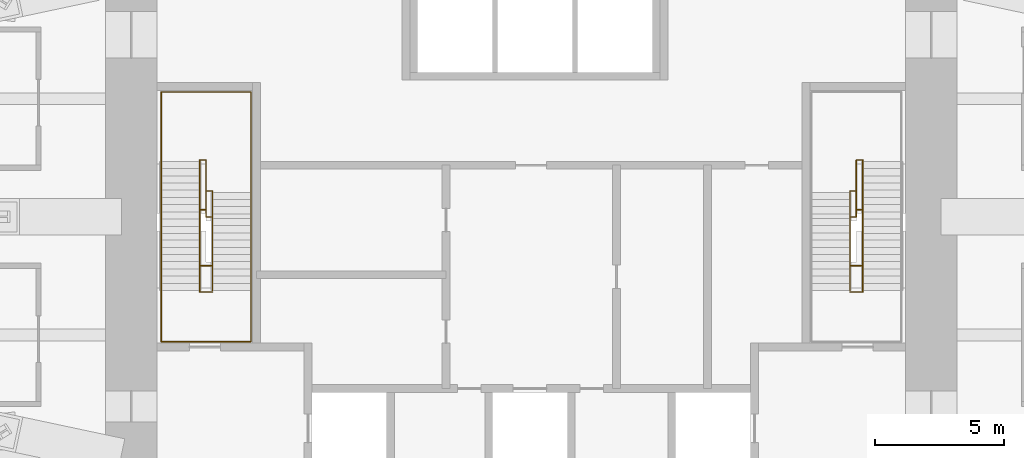
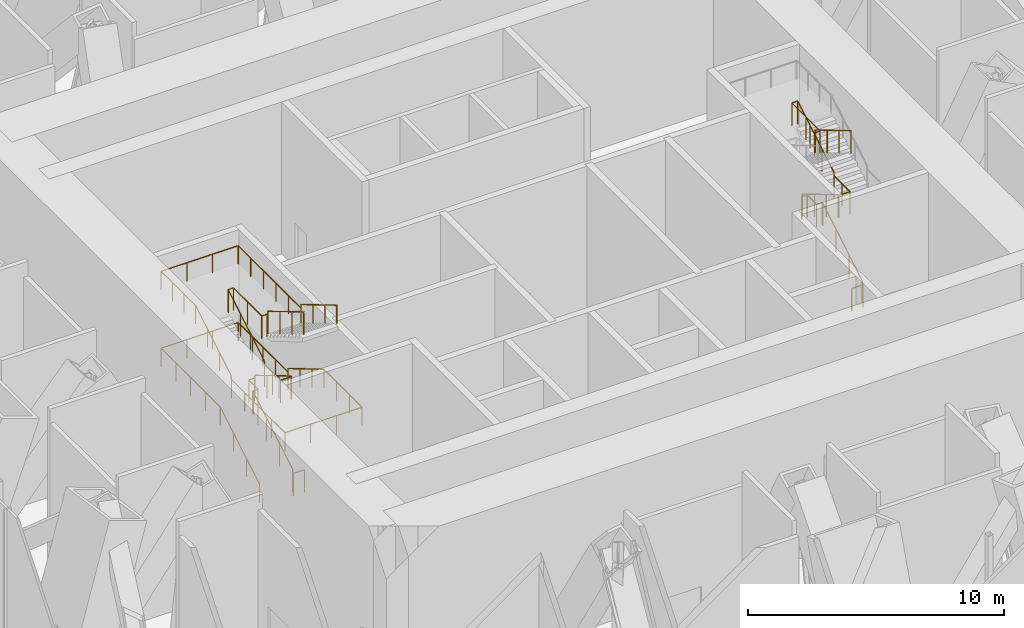
# One storey, part 15 of 16: 3 railings.
"""IFC4 building model written with IfcOpenShell, lengths in metres."""

from ifc_helpers import new_model, si_unit, direction, frame, origin, origin_2d, place, context, subcontext, project, spatial, circle, extrude, material, type_object, element, save


model = new_model("IFC4")

# Units and contexts
model_context = context("Model", 3, precision=1e-05, world=origin(), true_north=direction((0.0, 1.0)))
body_context = subcontext(model_context, "Body", "Model", "MODEL_VIEW")
ifc_project = project(units=[si_unit("LENGTHUNIT", "METRE"), si_unit("AREAUNIT", "SQUARE_METRE"), si_unit("VOLUMEUNIT", "CUBIC_METRE"), si_unit("PLANEANGLEUNIT", "RADIAN"), si_unit("MASSUNIT", "GRAM", prefix="KILO")], contexts=[model_context])

# Site, building, storey
site_placement = place(None, origin())
site = spatial("IfcSite", under=ifc_project, at=site_placement, CompositionType="ELEMENT")
building_placement = place(site_placement, origin())
building = spatial("IfcBuilding", under=site, at=building_placement, Name="Khuree Lantern Residences", CompositionType="ELEMENT")
storey_placement = place(building_placement, frame((0.0, 0.0, 192.0)))
storey = spatial("IfcBuildingStorey", under=building, at=storey_placement, Name="L48", CompositionType="ELEMENT", Elevation=192.0)

# Railings
ifc_material = material(Name="Steel S355", Category="steel")
railing_type_1 = type_object("IfcRailingType", Name="STAIR GUARD G1 1100", PredefinedType="GUARDRAIL", material=ifc_material)
railing_1_placement = place(storey_placement, frame((-12.35009765625, -2.909912109375, 0.0)))
element("IfcRailing", 1, at=railing_1_placement, inside=storey, type_object=railing_type_1, Name="Stair ST1 guard", PredefinedType="GUARDRAIL", context=body_context, shape_type="SweptSolid", body=[
    extrude(circle(Radius=0.02392578125, at=origin_2d()), frame((0.0, 0.0, 1.076171875), z_axis=(-1.0, 0.0, 0.0), x_axis=(0.0, -1.0, 0.0)), (0.0, 0.0, 1.0), 0.5),
    extrude(circle(Radius=0.02392578125, at=origin_2d()), frame((-0.5, 0.0, 1.076171875), z_axis=(0.0, 0.286189326841, 0.958173089375), x_axis=(-1.0, 0.0, 0.0)), (0.0, 0.0, 1.0), 0.174072265625),
    extrude(circle(Radius=0.02392578125, at=origin_2d()), frame((-0.5, 0.0498046875, 1.24267578125), z_axis=(0.0, 0.859308565015, 0.511457515432), x_axis=(-1.0, 0.0, 0.0)), (0.0, 0.0, 1.0), 3.58447265625),
    extrude(circle(Radius=0.02392578125, at=origin_2d()), frame((-0.5, 3.1298828125, 3.076171875), z_axis=(0.0, 1.0, 0.0), x_axis=(-1.0, 0.0, 0.0)), (0.0, 0.0, 1.0), 0.050048828125),
    extrude(circle(Radius=0.02392578125, at=origin_2d()), frame((-0.5, 3.179931640625, 3.076171875), z_axis=(1.0, 0.0, 0.0), x_axis=(0.0, 1.0, 0.0)), (0.0, 0.0, 1.0), 0.25),
    extrude(circle(Radius=0.02392578125, at=origin_2d()), frame((-0.25, 3.179931640625, 3.076171875), z_axis=(0.0, 1.0, 0.0), x_axis=(-1.0, 0.0, 0.0)), (0.0, 0.0, 1.0), 0.72998046875),
    extrude(circle(Radius=0.02392578125, at=origin_2d()), frame((-0.25, 3.909912109375, 3.076171875), z_axis=(1.0, 0.0, 0.0), x_axis=(0.0, 1.0, 0.0)), (0.0, 0.0, 1.0), 0.25),
    extrude(circle(Radius=0.02392578125, at=origin_2d()), frame((0.0, 3.909912109375, 3.076171875), z_axis=(0.0, -0.287476536604, 0.957787680492), x_axis=(1.0, 0.0, 0.0)), (0.0, 0.0, 1.0), 0.174072265625),
    extrude(circle(Radius=0.02392578125, at=origin_2d()), frame((0.0, 3.85986328125, 3.24267578125), z_axis=(0.0, -0.859318757487, 0.511440390497), x_axis=(1.0, 0.0, 0.0)), (0.0, 0.0, 1.0), 3.258544921875),
    extrude(circle(Radius=0.02392578125, at=origin_2d()), frame((0.0, 1.059814453125, 4.9091796875), z_axis=(0.0, -1.0, 0.0), x_axis=(1.0, 0.0, 0.0)), (0.0, 0.0, 1.0), 0.0498046875),
    extrude(circle(Radius=0.02392578125, at=origin_2d()), frame((0.0, 1.010009765625, 4.9091796875), z_axis=(-1.0, 0.0, 0.0), x_axis=(0.0, -1.0, 0.0)), (0.0, 0.0, 1.0), 0.5),
    extrude(circle(Radius=0.02392578125, at=origin_2d()), frame((-0.5, 1.010009765625, 4.9091796875), z_axis=(0.0, 1.0, 0.0), x_axis=(-1.0, 0.0, 0.0)), (0.0, 0.0, 1.0), 1.25),
    extrude(circle(Radius=0.02392578125, at=origin_2d()), frame((-0.5, 2.260009765625, 4.9091796875), z_axis=(0.0, 0.0, 1.0), x_axis=(1.0, 0.0, 0.0)), (0.0, 0.0, 1.0), 0.166748046875),
    extrude(circle(Radius=0.02392578125, at=origin_2d()), frame((-0.5, 2.260009765625, 5.076171875), z_axis=(0.0, 0.859266224305, 0.511528646088), x_axis=(-1.0, 0.0, 0.0)), (0.0, 0.0, 1.0), 3.25830078125),
    extrude(circle(Radius=0.02392578125, at=origin_2d()), frame((-0.5, 5.059814453125, 6.74267578125), z_axis=(0.0, 1.0, 0.0), x_axis=(-1.0, 0.0, 0.0)), (0.0, 0.0, 1.0), 0.050048828125),
    extrude(circle(Radius=0.02392578125, at=origin_2d()), frame((-0.5, 5.10986328125, 6.74267578125), z_axis=(1.0, 0.0, 0.0), x_axis=(0.0, 1.0, 0.0)), (0.0, 0.0, 1.0), 0.25),
    extrude(circle(Radius=0.02392578125, at=origin_2d()), frame((-0.25, 5.10986328125, 6.74267578125), z_axis=(0.0, -1.0, 0.0), x_axis=(1.0, 0.0, 0.0)), (0.0, 0.0, 1.0), 2.2099609375),
    extrude(circle(Radius=0.02392578125, at=origin_2d()), frame((-0.25, 2.89990234375, 6.74267578125), z_axis=(1.0, 0.0, 0.0), x_axis=(0.0, 1.0, 0.0)), (0.0, 0.0, 1.0), 0.25),
    extrude(circle(Radius=0.02392578125, at=origin_2d()), frame((0.0, 2.89990234375, 6.74267578125), z_axis=(0.0, -0.287863150583, 0.957671554624), x_axis=(1.0, 0.0, 0.0)), (0.0, 0.0, 1.0), 0.173828125),
    extrude(circle(Radius=0.02392578125, at=origin_2d()), frame((0.0, 2.849853515625, 6.9091796875), z_axis=(0.0, -0.859285828005, 0.511495714342), x_axis=(1.0, 0.0, 0.0)), (0.0, 0.0, 1.0), 3.258544921875),
    extrude(circle(Radius=0.02099609375, at=origin_2d()), origin(), (0.0, 0.0, 1.0), 1.052001953125),
    extrude(circle(Radius=0.02099609375, at=origin_2d()), frame((-0.5, 0.0, 0.0)), (0.0, 0.0, 1.0), 1.052001953125),
    extrude(circle(Radius=0.02099609375, at=origin_2d()), frame((-0.5, 0.0498046875, 0.166748046875)), (0.0, 0.0, 1.0), 1.052001953125),
    extrude(circle(Radius=0.02099609375, at=origin_2d()), frame((-0.5, 1.076416015625, 0.77783203125)), (0.0, 0.0, 1.0), 1.052001953125),
    extrude(circle(Radius=0.02099609375, at=origin_2d()), frame((-0.5, 2.103271484375, 1.388916015625)), (0.0, 0.0, 1.0), 1.052001953125),
    extrude(circle(Radius=0.02099609375, at=origin_2d()), frame((-0.5, 3.1298828125, 2.0)), (0.0, 0.0, 1.0), 1.052001953125),
    extrude(circle(Radius=0.02099609375, at=origin_2d()), frame((-0.5, 3.179931640625, 2.0)), (0.0, 0.0, 1.0), 1.052001953125),
    extrude(circle(Radius=0.02099609375, at=origin_2d()), frame((-0.25, 3.179931640625, 2.0)), (0.0, 0.0, 1.0), 1.052001953125),
    extrude(circle(Radius=0.02099609375, at=origin_2d()), frame((-0.25, 3.909912109375, 2.0)), (0.0, 0.0, 1.0), 1.052001953125),
    extrude(circle(Radius=0.02099609375, at=origin_2d()), frame((0.0, 3.909912109375, 2.0)), (0.0, 0.0, 1.0), 1.052001953125),
    extrude(circle(Radius=0.02099609375, at=origin_2d()), frame((0.0, 3.85986328125, 2.166748046875)), (0.0, 0.0, 1.0), 1.052001953125),
    extrude(circle(Radius=0.02099609375, at=origin_2d()), frame((0.0, 2.926513671875, 2.72216796875)), (0.0, 0.0, 1.0), 1.052001953125),
    extrude(circle(Radius=0.02099609375, at=origin_2d()), frame((0.0, 1.9931640625, 3.27783203125)), (0.0, 0.0, 1.0), 1.052001953125),
    extrude(circle(Radius=0.02099609375, at=origin_2d()), frame((0.0, 1.059814453125, 3.833251953125)), (0.0, 0.0, 1.0), 1.052001953125),
    extrude(circle(Radius=0.02099609375, at=origin_2d()), frame((0.0, 1.010009765625, 3.833251953125)), (0.0, 0.0, 1.0), 1.052001953125),
    extrude(circle(Radius=0.02099609375, at=origin_2d()), frame((-0.5, 1.010009765625, 3.833251953125)), (0.0, 0.0, 1.0), 1.052001953125),
    extrude(circle(Radius=0.02099609375, at=origin_2d()), frame((-0.5, 1.635009765625, 3.833251953125)), (0.0, 0.0, 1.0), 1.052001953125),
    extrude(circle(Radius=0.02099609375, at=origin_2d()), frame((-0.5, 2.260009765625, 3.833251953125)), (0.0, 0.0, 1.0), 1.052001953125),
    extrude(circle(Radius=0.02099609375, at=origin_2d()), frame((-0.5, 2.260009765625, 4.0)), (0.0, 0.0, 1.0), 1.052001953125),
    extrude(circle(Radius=0.02099609375, at=origin_2d()), frame((-0.5, 3.193359375, 4.5556640625)), (0.0, 0.0, 1.0), 1.052001953125),
    extrude(circle(Radius=0.02099609375, at=origin_2d()), frame((-0.5, 4.12646484375, 5.111083984375)), (0.0, 0.0, 1.0), 1.052001953125),
    extrude(circle(Radius=0.02099609375, at=origin_2d()), frame((-0.5, 5.059814453125, 5.666748046875)), (0.0, 0.0, 1.0), 1.052001953125),
    extrude(circle(Radius=0.02099609375, at=origin_2d()), frame((-0.5, 5.10986328125, 5.666748046875)), (0.0, 0.0, 1.0), 1.052001953125),
    extrude(circle(Radius=0.02099609375, at=origin_2d()), frame((-0.25, 5.10986328125, 5.666748046875)), (0.0, 0.0, 1.0), 1.052001953125),
    extrude(circle(Radius=0.02099609375, at=origin_2d()), frame((-0.25, 4.0048828125, 5.666748046875)), (0.0, 0.0, 1.0), 1.052001953125),
    extrude(circle(Radius=0.02099609375, at=origin_2d()), frame((-0.25, 2.89990234375, 5.666748046875)), (0.0, 0.0, 1.0), 1.052001953125),
    extrude(circle(Radius=0.02099609375, at=origin_2d()), frame((0.0, 2.89990234375, 5.666748046875)), (0.0, 0.0, 1.0), 1.052001953125),
    extrude(circle(Radius=0.02099609375, at=origin_2d()), frame((0.0, 2.849853515625, 5.833251953125)), (0.0, 0.0, 1.0), 1.052001953125),
    extrude(circle(Radius=0.02099609375, at=origin_2d()), frame((0.0, 1.91650390625, 6.388916015625)), (0.0, 0.0, 1.0), 1.052001953125),
    extrude(circle(Radius=0.02099609375, at=origin_2d()), frame((0.0, 0.983154296875, 6.9443359375)), (0.0, 0.0, 1.0), 1.052001953125),
    extrude(circle(Radius=0.02099609375, at=origin_2d()), frame((0.0, 0.0498046875, 7.5)), (0.0, 0.0, 1.0), 1.052001953125),
])
railing_2_placement = place(storey_placement, frame((12.35009765625, -2.909912109375, 0.0)))
element("IfcRailing", 2, at=railing_2_placement, inside=storey, type_object=railing_type_1, Name="Stair ST2 guard", PredefinedType="GUARDRAIL", context=body_context, shape_type="SweptSolid", body=[
    extrude(circle(Radius=0.02392578125, at=origin_2d()), frame((0.0, 0.0, 1.076171875), z_axis=(1.0, 0.0, 0.0), x_axis=(0.0, 1.0, 0.0)), (0.0, 0.0, 1.0), 0.5),
    extrude(circle(Radius=0.02392578125, at=origin_2d()), frame((0.5, 0.0, 1.076171875), z_axis=(0.0, 0.286189326841, 0.958173089375), x_axis=(-1.0, 0.0, 0.0)), (0.0, 0.0, 1.0), 0.174072265625),
    extrude(circle(Radius=0.02392578125, at=origin_2d()), frame((0.5, 0.0498046875, 1.24267578125), z_axis=(0.0, 0.859308565015, 0.511457515432), x_axis=(-1.0, 0.0, 0.0)), (0.0, 0.0, 1.0), 3.58447265625),
    extrude(circle(Radius=0.02392578125, at=origin_2d()), frame((0.5, 3.1298828125, 3.076171875), z_axis=(0.0, 1.0, 0.0), x_axis=(-1.0, 0.0, 0.0)), (0.0, 0.0, 1.0), 0.050048828125),
    extrude(circle(Radius=0.02392578125, at=origin_2d()), frame((0.5, 3.179931640625, 3.076171875), z_axis=(-1.0, 0.0, 0.0), x_axis=(0.0, -1.0, 0.0)), (0.0, 0.0, 1.0), 0.25),
    extrude(circle(Radius=0.02392578125, at=origin_2d()), frame((0.25, 3.179931640625, 3.076171875), z_axis=(0.0, 1.0, 0.0), x_axis=(-1.0, 0.0, 0.0)), (0.0, 0.0, 1.0), 0.72998046875),
    extrude(circle(Radius=0.02392578125, at=origin_2d()), frame((0.25, 3.909912109375, 3.076171875), z_axis=(-1.0, 0.0, 0.0), x_axis=(0.0, -1.0, 0.0)), (0.0, 0.0, 1.0), 0.25),
    extrude(circle(Radius=0.02392578125, at=origin_2d()), frame((0.0, 3.909912109375, 3.076171875), z_axis=(0.0, -0.287476536604, 0.957787680492), x_axis=(1.0, 0.0, 0.0)), (0.0, 0.0, 1.0), 0.174072265625),
    extrude(circle(Radius=0.02392578125, at=origin_2d()), frame((0.0, 3.85986328125, 3.24267578125), z_axis=(0.0, -0.859318757487, 0.511440390497), x_axis=(1.0, 0.0, 0.0)), (0.0, 0.0, 1.0), 3.258544921875),
    extrude(circle(Radius=0.02392578125, at=origin_2d()), frame((0.0, 1.059814453125, 4.9091796875), z_axis=(0.0, -1.0, 0.0), x_axis=(1.0, 0.0, 0.0)), (0.0, 0.0, 1.0), 0.0498046875),
    extrude(circle(Radius=0.02392578125, at=origin_2d()), frame((0.0, 1.010009765625, 4.9091796875), z_axis=(1.0, 0.0, 0.0), x_axis=(0.0, 1.0, 0.0)), (0.0, 0.0, 1.0), 0.5),
    extrude(circle(Radius=0.02392578125, at=origin_2d()), frame((0.5, 1.010009765625, 4.9091796875), z_axis=(0.0, 1.0, 0.0), x_axis=(-1.0, 0.0, 0.0)), (0.0, 0.0, 1.0), 1.25),
    extrude(circle(Radius=0.02392578125, at=origin_2d()), frame((0.5, 2.260009765625, 4.9091796875), z_axis=(0.0, 0.0, 1.0), x_axis=(1.0, 0.0, 0.0)), (0.0, 0.0, 1.0), 0.166748046875),
    extrude(circle(Radius=0.02392578125, at=origin_2d()), frame((0.5, 2.260009765625, 5.076171875), z_axis=(0.0, 0.859266224305, 0.511528646088), x_axis=(-1.0, 0.0, 0.0)), (0.0, 0.0, 1.0), 3.25830078125),
    extrude(circle(Radius=0.02392578125, at=origin_2d()), frame((0.5, 5.059814453125, 6.74267578125), z_axis=(0.0, 1.0, 0.0), x_axis=(-1.0, 0.0, 0.0)), (0.0, 0.0, 1.0), 0.050048828125),
    extrude(circle(Radius=0.02392578125, at=origin_2d()), frame((0.5, 5.10986328125, 6.74267578125), z_axis=(-1.0, 0.0, 0.0), x_axis=(0.0, -1.0, 0.0)), (0.0, 0.0, 1.0), 0.25),
    extrude(circle(Radius=0.02392578125, at=origin_2d()), frame((0.25, 5.10986328125, 6.74267578125), z_axis=(0.0, -1.0, 0.0), x_axis=(1.0, 0.0, 0.0)), (0.0, 0.0, 1.0), 2.2099609375),
    extrude(circle(Radius=0.02392578125, at=origin_2d()), frame((0.25, 2.89990234375, 6.74267578125), z_axis=(-1.0, 0.0, 0.0), x_axis=(0.0, -1.0, 0.0)), (0.0, 0.0, 1.0), 0.25),
    extrude(circle(Radius=0.02392578125, at=origin_2d()), frame((0.0, 2.89990234375, 6.74267578125), z_axis=(0.0, -0.287863150583, 0.957671554624), x_axis=(1.0, 0.0, 0.0)), (0.0, 0.0, 1.0), 0.173828125),
    extrude(circle(Radius=0.02392578125, at=origin_2d()), frame((0.0, 2.849853515625, 6.9091796875), z_axis=(0.0, -0.859285828005, 0.511495714342), x_axis=(1.0, 0.0, 0.0)), (0.0, 0.0, 1.0), 3.258544921875),
    extrude(circle(Radius=0.02099609375, at=origin_2d()), origin(), (0.0, 0.0, 1.0), 1.052001953125),
    extrude(circle(Radius=0.02099609375, at=origin_2d()), frame((0.5, 0.0, 0.0)), (0.0, 0.0, 1.0), 1.052001953125),
    extrude(circle(Radius=0.02099609375, at=origin_2d()), frame((0.5, 0.0498046875, 0.166748046875)), (0.0, 0.0, 1.0), 1.052001953125),
    extrude(circle(Radius=0.02099609375, at=origin_2d()), frame((0.5, 1.076416015625, 0.77783203125)), (0.0, 0.0, 1.0), 1.052001953125),
    extrude(circle(Radius=0.02099609375, at=origin_2d()), frame((0.5, 2.103271484375, 1.388916015625)), (0.0, 0.0, 1.0), 1.052001953125),
    extrude(circle(Radius=0.02099609375, at=origin_2d()), frame((0.5, 3.1298828125, 2.0)), (0.0, 0.0, 1.0), 1.052001953125),
    extrude(circle(Radius=0.02099609375, at=origin_2d()), frame((0.5, 3.179931640625, 2.0)), (0.0, 0.0, 1.0), 1.052001953125),
    extrude(circle(Radius=0.02099609375, at=origin_2d()), frame((0.25, 3.179931640625, 2.0)), (0.0, 0.0, 1.0), 1.052001953125),
    extrude(circle(Radius=0.02099609375, at=origin_2d()), frame((0.25, 3.909912109375, 2.0)), (0.0, 0.0, 1.0), 1.052001953125),
    extrude(circle(Radius=0.02099609375, at=origin_2d()), frame((0.0, 3.909912109375, 2.0)), (0.0, 0.0, 1.0), 1.052001953125),
    extrude(circle(Radius=0.02099609375, at=origin_2d()), frame((0.0, 3.85986328125, 2.166748046875)), (0.0, 0.0, 1.0), 1.052001953125),
    extrude(circle(Radius=0.02099609375, at=origin_2d()), frame((0.0, 2.926513671875, 2.72216796875)), (0.0, 0.0, 1.0), 1.052001953125),
    extrude(circle(Radius=0.02099609375, at=origin_2d()), frame((0.0, 1.9931640625, 3.27783203125)), (0.0, 0.0, 1.0), 1.052001953125),
    extrude(circle(Radius=0.02099609375, at=origin_2d()), frame((0.0, 1.059814453125, 3.833251953125)), (0.0, 0.0, 1.0), 1.052001953125),
    extrude(circle(Radius=0.02099609375, at=origin_2d()), frame((0.0, 1.010009765625, 3.833251953125)), (0.0, 0.0, 1.0), 1.052001953125),
    extrude(circle(Radius=0.02099609375, at=origin_2d()), frame((0.5, 1.010009765625, 3.833251953125)), (0.0, 0.0, 1.0), 1.052001953125),
    extrude(circle(Radius=0.02099609375, at=origin_2d()), frame((0.5, 1.635009765625, 3.833251953125)), (0.0, 0.0, 1.0), 1.052001953125),
    extrude(circle(Radius=0.02099609375, at=origin_2d()), frame((0.5, 2.260009765625, 3.833251953125)), (0.0, 0.0, 1.0), 1.052001953125),
    extrude(circle(Radius=0.02099609375, at=origin_2d()), frame((0.5, 2.260009765625, 4.0)), (0.0, 0.0, 1.0), 1.052001953125),
    extrude(circle(Radius=0.02099609375, at=origin_2d()), frame((0.5, 3.193359375, 4.5556640625)), (0.0, 0.0, 1.0), 1.052001953125),
    extrude(circle(Radius=0.02099609375, at=origin_2d()), frame((0.5, 4.12646484375, 5.111083984375)), (0.0, 0.0, 1.0), 1.052001953125),
    extrude(circle(Radius=0.02099609375, at=origin_2d()), frame((0.5, 5.059814453125, 5.666748046875)), (0.0, 0.0, 1.0), 1.052001953125),
    extrude(circle(Radius=0.02099609375, at=origin_2d()), frame((0.5, 5.10986328125, 5.666748046875)), (0.0, 0.0, 1.0), 1.052001953125),
    extrude(circle(Radius=0.02099609375, at=origin_2d()), frame((0.25, 5.10986328125, 5.666748046875)), (0.0, 0.0, 1.0), 1.052001953125),
    extrude(circle(Radius=0.02099609375, at=origin_2d()), frame((0.25, 4.0048828125, 5.666748046875)), (0.0, 0.0, 1.0), 1.052001953125),
    extrude(circle(Radius=0.02099609375, at=origin_2d()), frame((0.25, 2.89990234375, 5.666748046875)), (0.0, 0.0, 1.0), 1.052001953125),
    extrude(circle(Radius=0.02099609375, at=origin_2d()), frame((0.0, 2.89990234375, 5.666748046875)), (0.0, 0.0, 1.0), 1.052001953125),
    extrude(circle(Radius=0.02099609375, at=origin_2d()), frame((0.0, 2.849853515625, 5.833251953125)), (0.0, 0.0, 1.0), 1.052001953125),
    extrude(circle(Radius=0.02099609375, at=origin_2d()), frame((0.0, 1.91650390625, 6.388916015625)), (0.0, 0.0, 1.0), 1.052001953125),
    extrude(circle(Radius=0.02099609375, at=origin_2d()), frame((0.0, 0.983154296875, 6.9443359375)), (0.0, 0.0, 1.0), 1.052001953125),
    extrude(circle(Radius=0.02099609375, at=origin_2d()), frame((0.0, 0.0498046875, 7.5)), (0.0, 0.0, 1.0), 1.052001953125),
])
railing_type_2 = type_object("IfcRailingType", Name="STAIR HANDRAIL H1 900", PredefinedType="HANDRAIL", material=ifc_material)
railing_3_placement = place(storey_placement, frame((-14.340087890625, -2.860107421875, 0.166748046875)))
element("IfcRailing", 3, at=railing_3_placement, inside=storey, type_object=railing_type_2, Name="Stair ST1 handrail", PredefinedType="HANDRAIL", context=body_context, shape_type="SweptSolid", body=[
    extrude(circle(Radius=0.02392578125, at=origin_2d()), frame((0.0, 0.0, 0.8759765625), z_axis=(0.0, 0.859308565015, 0.511457515432), x_axis=(-1.0, 0.0, 0.0)), (0.0, 0.0, 1.0), 3.58447265625),
    extrude(circle(Radius=0.02392578125, at=origin_2d()), frame((0.0, 3.080078125, 2.708984375), z_axis=(0.0, 1.0, 0.0), x_axis=(-1.0, 0.0, 0.0)), (0.0, 0.0, 1.0), 4.6201171875),
    extrude(circle(Radius=0.02392578125, at=origin_2d()), frame((0.0, 7.7001953125, 2.708984375), z_axis=(1.0, 0.0, 0.0), x_axis=(0.0, 1.0, 0.0)), (0.0, 0.0, 1.0), 3.47998046875),
    extrude(circle(Radius=0.02392578125, at=origin_2d()), frame((3.47998046875, 7.7001953125, 2.708984375), z_axis=(0.0, -1.0, 0.0), x_axis=(1.0, 0.0, 0.0)), (0.0, 0.0, 1.0), 3.89013671875),
    extrude(circle(Radius=0.02392578125, at=origin_2d()), frame((3.47998046875, 3.81005859375, 2.708984375), z_axis=(0.0, 0.0, 1.0), x_axis=(1.0, 0.0, 0.0)), (0.0, 0.0, 1.0), 0.166748046875),
    extrude(circle(Radius=0.02392578125, at=origin_2d()), frame((3.47998046875, 3.81005859375, 2.8759765625), z_axis=(0.0, -0.859318757487, 0.511440390497), x_axis=(1.0, 0.0, 0.0)), (0.0, 0.0, 1.0), 3.258544921875),
    extrude(circle(Radius=0.02392578125, at=origin_2d()), frame((3.47998046875, 1.010009765625, 4.54248046875), z_axis=(0.0, -1.0, 0.0), x_axis=(1.0, 0.0, 0.0)), (0.0, 0.0, 1.0), 2.989990234375),
    extrude(circle(Radius=0.02392578125, at=origin_2d()), frame((3.47998046875, -1.97998046875, 4.54248046875), z_axis=(-1.0, 0.0, 0.0), x_axis=(0.0, -1.0, 0.0)), (0.0, 0.0, 1.0), 3.47998046875),
    extrude(circle(Radius=0.02392578125, at=origin_2d()), frame((0.0, -1.97998046875, 4.54248046875), z_axis=(0.0, 1.0, 0.0), x_axis=(-1.0, 0.0, 0.0)), (0.0, 0.0, 1.0), 4.190185546875),
    extrude(circle(Radius=0.02392578125, at=origin_2d()), frame((0.0, 2.210205078125, 4.54248046875), z_axis=(0.0, 0.0, 1.0), x_axis=(1.0, 0.0, 0.0)), (0.0, 0.0, 1.0), 0.166748046875),
    extrude(circle(Radius=0.02392578125, at=origin_2d()), frame((0.0, 2.210205078125, 4.708984375), z_axis=(0.0, 0.859266224305, 0.511528646088), x_axis=(-1.0, 0.0, 0.0)), (0.0, 0.0, 1.0), 3.25830078125),
    extrude(circle(Radius=0.02392578125, at=origin_2d()), frame((0.0, 5.010009765625, 6.3759765625), z_axis=(0.0, 1.0, 0.0), x_axis=(-1.0, 0.0, 0.0)), (0.0, 0.0, 1.0), 2.690185546875),
    extrude(circle(Radius=0.02392578125, at=origin_2d()), frame((0.0, 7.7001953125, 6.3759765625), z_axis=(1.0, 0.0, 0.0), x_axis=(0.0, 1.0, 0.0)), (0.0, 0.0, 1.0), 3.47998046875),
    extrude(circle(Radius=0.02392578125, at=origin_2d()), frame((3.47998046875, 7.7001953125, 6.3759765625), z_axis=(0.0, -1.0, 0.0), x_axis=(1.0, 0.0, 0.0)), (0.0, 0.0, 1.0), 4.900146484375),
    extrude(circle(Radius=0.02392578125, at=origin_2d()), frame((3.47998046875, 2.800048828125, 6.3759765625), z_axis=(0.0, 0.0, 1.0), x_axis=(1.0, 0.0, 0.0)), (0.0, 0.0, 1.0), 0.16650390625),
    extrude(circle(Radius=0.02392578125, at=origin_2d()), frame((3.47998046875, 2.800048828125, 6.54248046875), z_axis=(0.0, -0.859285828005, 0.511495714342), x_axis=(1.0, 0.0, 0.0)), (0.0, 0.0, 1.0), 3.258544921875),
    extrude(circle(Radius=0.02099609375, at=origin_2d()), origin(), (0.0, 0.0, 1.0), 0.851806640625),
    extrude(circle(Radius=0.02099609375, at=origin_2d()), frame((0.0, 1.026611328125, 0.611083984375)), (0.0, 0.0, 1.0), 0.851806640625),
    extrude(circle(Radius=0.02099609375, at=origin_2d()), frame((0.0, 2.053466796875, 1.22216796875)), (0.0, 0.0, 1.0), 0.851806640625),
    extrude(circle(Radius=0.02099609375, at=origin_2d()), frame((0.0, 3.080078125, 1.833251953125)), (0.0, 0.0, 1.0), 0.851806640625),
    extrude(circle(Radius=0.02099609375, at=origin_2d()), frame((0.0, 4.235107421875, 1.833251953125)), (0.0, 0.0, 1.0), 0.851806640625),
    extrude(circle(Radius=0.02099609375, at=origin_2d()), frame((0.0, 5.39013671875, 1.833251953125)), (0.0, 0.0, 1.0), 0.851806640625),
    extrude(circle(Radius=0.02099609375, at=origin_2d()), frame((0.0, 6.545166015625, 1.833251953125)), (0.0, 0.0, 1.0), 0.851806640625),
    extrude(circle(Radius=0.02099609375, at=origin_2d()), frame((0.0, 7.7001953125, 1.833251953125)), (0.0, 0.0, 1.0), 0.851806640625),
    extrude(circle(Radius=0.02099609375, at=origin_2d()), frame((1.159912109375, 7.7001953125, 1.833251953125)), (0.0, 0.0, 1.0), 0.851806640625),
    extrude(circle(Radius=0.02099609375, at=origin_2d()), frame((2.320068359375, 7.7001953125, 1.833251953125)), (0.0, 0.0, 1.0), 0.851806640625),
    extrude(circle(Radius=0.02099609375, at=origin_2d()), frame((3.47998046875, 7.7001953125, 1.833251953125)), (0.0, 0.0, 1.0), 0.851806640625),
    extrude(circle(Radius=0.02099609375, at=origin_2d()), frame((3.47998046875, 6.7275390625, 1.833251953125)), (0.0, 0.0, 1.0), 0.851806640625),
    extrude(circle(Radius=0.02099609375, at=origin_2d()), frame((3.47998046875, 5.755126953125, 1.833251953125)), (0.0, 0.0, 1.0), 0.851806640625),
    extrude(circle(Radius=0.02099609375, at=origin_2d()), frame((3.47998046875, 4.78271484375, 1.833251953125)), (0.0, 0.0, 1.0), 0.851806640625),
    extrude(circle(Radius=0.02099609375, at=origin_2d()), frame((3.47998046875, 3.81005859375, 1.833251953125)), (0.0, 0.0, 1.0), 0.851806640625),
    extrude(circle(Radius=0.02099609375, at=origin_2d()), frame((3.47998046875, 3.81005859375, 2.0)), (0.0, 0.0, 1.0), 0.851806640625),
    extrude(circle(Radius=0.02099609375, at=origin_2d()), frame((3.47998046875, 2.876708984375, 2.555419921875)), (0.0, 0.0, 1.0), 0.851806640625),
    extrude(circle(Radius=0.02099609375, at=origin_2d()), frame((3.47998046875, 1.943359375, 3.111083984375)), (0.0, 0.0, 1.0), 0.851806640625),
    extrude(circle(Radius=0.02099609375, at=origin_2d()), frame((3.47998046875, 1.010009765625, 3.66650390625)), (0.0, 0.0, 1.0), 0.851806640625),
    extrude(circle(Radius=0.02099609375, at=origin_2d()), frame((3.47998046875, 0.013427734375, 3.66650390625)), (0.0, 0.0, 1.0), 0.851806640625),
    extrude(circle(Radius=0.02099609375, at=origin_2d()), frame((3.47998046875, -0.9833984375, 3.66650390625)), (0.0, 0.0, 1.0), 0.851806640625),
    extrude(circle(Radius=0.02099609375, at=origin_2d()), frame((3.47998046875, -1.97998046875, 3.66650390625)), (0.0, 0.0, 1.0), 0.851806640625),
    extrude(circle(Radius=0.02099609375, at=origin_2d()), frame((2.320068359375, -1.97998046875, 3.66650390625)), (0.0, 0.0, 1.0), 0.851806640625),
    extrude(circle(Radius=0.02099609375, at=origin_2d()), frame((1.159912109375, -1.97998046875, 3.66650390625)), (0.0, 0.0, 1.0), 0.851806640625),
    extrude(circle(Radius=0.02099609375, at=origin_2d()), frame((0.0, -1.97998046875, 3.66650390625)), (0.0, 0.0, 1.0), 0.851806640625),
    extrude(circle(Radius=0.02099609375, at=origin_2d()), frame((0.0, -0.932373046875, 3.66650390625)), (0.0, 0.0, 1.0), 0.851806640625),
    extrude(circle(Radius=0.02099609375, at=origin_2d()), frame((0.0, 0.115234375, 3.66650390625)), (0.0, 0.0, 1.0), 0.851806640625),
    extrude(circle(Radius=0.02099609375, at=origin_2d()), frame((0.0, 1.16259765625, 3.66650390625)), (0.0, 0.0, 1.0), 0.851806640625),
    extrude(circle(Radius=0.02099609375, at=origin_2d()), frame((0.0, 2.210205078125, 3.66650390625)), (0.0, 0.0, 1.0), 0.851806640625),
    extrude(circle(Radius=0.02099609375, at=origin_2d()), frame((0.0, 2.210205078125, 3.833251953125)), (0.0, 0.0, 1.0), 0.851806640625),
    extrude(circle(Radius=0.02099609375, at=origin_2d()), frame((0.0, 3.1435546875, 4.388916015625)), (0.0, 0.0, 1.0), 0.851806640625),
    extrude(circle(Radius=0.02099609375, at=origin_2d()), frame((0.0, 4.07666015625, 4.9443359375)), (0.0, 0.0, 1.0), 0.851806640625),
    extrude(circle(Radius=0.02099609375, at=origin_2d()), frame((0.0, 5.010009765625, 5.5)), (0.0, 0.0, 1.0), 0.851806640625),
    extrude(circle(Radius=0.02099609375, at=origin_2d()), frame((0.0, 5.90673828125, 5.5)), (0.0, 0.0, 1.0), 0.851806640625),
    extrude(circle(Radius=0.02099609375, at=origin_2d()), frame((0.0, 6.803466796875, 5.5)), (0.0, 0.0, 1.0), 0.851806640625),
    extrude(circle(Radius=0.02099609375, at=origin_2d()), frame((0.0, 7.7001953125, 5.5)), (0.0, 0.0, 1.0), 0.851806640625),
    extrude(circle(Radius=0.02099609375, at=origin_2d()), frame((1.159912109375, 7.7001953125, 5.5)), (0.0, 0.0, 1.0), 0.851806640625),
    extrude(circle(Radius=0.02099609375, at=origin_2d()), frame((2.320068359375, 7.7001953125, 5.5)), (0.0, 0.0, 1.0), 0.851806640625),
    extrude(circle(Radius=0.02099609375, at=origin_2d()), frame((3.47998046875, 7.7001953125, 5.5)), (0.0, 0.0, 1.0), 0.851806640625),
    extrude(circle(Radius=0.02099609375, at=origin_2d()), frame((3.47998046875, 6.72021484375, 5.5)), (0.0, 0.0, 1.0), 0.851806640625),
    extrude(circle(Radius=0.02099609375, at=origin_2d()), frame((3.47998046875, 5.740234375, 5.5)), (0.0, 0.0, 1.0), 0.851806640625),
    extrude(circle(Radius=0.02099609375, at=origin_2d()), frame((3.47998046875, 4.760009765625, 5.5)), (0.0, 0.0, 1.0), 0.851806640625),
    extrude(circle(Radius=0.02099609375, at=origin_2d()), frame((3.47998046875, 3.780029296875, 5.5)), (0.0, 0.0, 1.0), 0.851806640625),
    extrude(circle(Radius=0.02099609375, at=origin_2d()), frame((3.47998046875, 2.800048828125, 5.5)), (0.0, 0.0, 1.0), 0.851806640625),
    extrude(circle(Radius=0.02099609375, at=origin_2d()), frame((3.47998046875, 2.800048828125, 5.66650390625)), (0.0, 0.0, 1.0), 0.851806640625),
    extrude(circle(Radius=0.02099609375, at=origin_2d()), frame((3.47998046875, 1.86669921875, 6.22216796875)), (0.0, 0.0, 1.0), 0.851806640625),
    extrude(circle(Radius=0.02099609375, at=origin_2d()), frame((3.47998046875, 0.933349609375, 6.777587890625)), (0.0, 0.0, 1.0), 0.851806640625),
    extrude(circle(Radius=0.02099609375, at=origin_2d()), frame((3.47998046875, 0.0, 7.333251953125)), (0.0, 0.0, 1.0), 0.851806640625),
])

save(model, "model.ifc")
